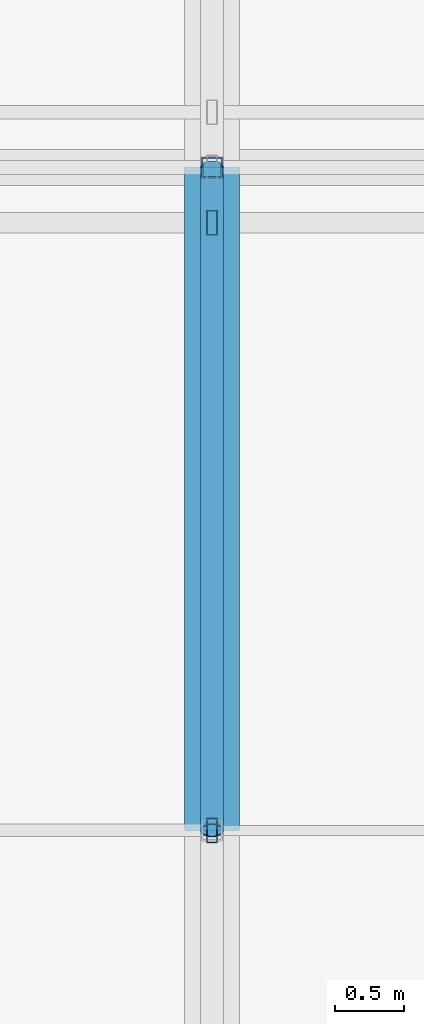
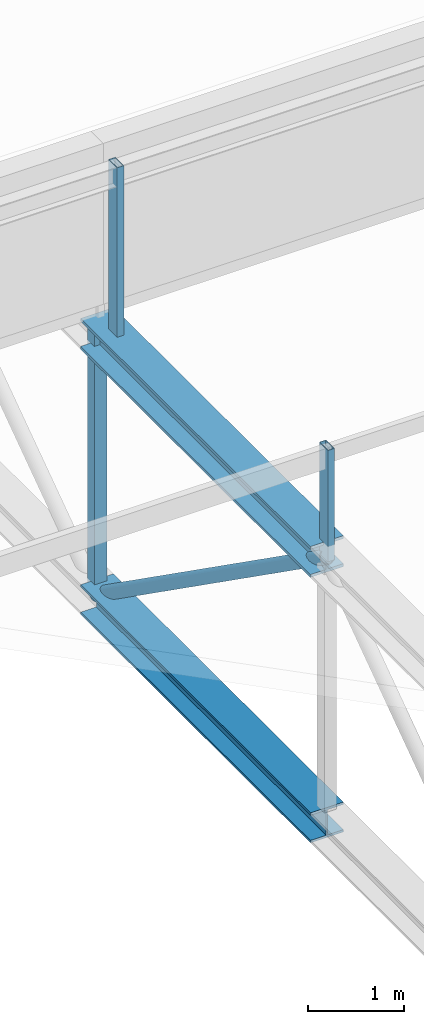
# One storey, part 19 of 136: 4 members, 2 beams.
"""IFC4 building model written with IfcOpenShell, lengths in metres."""

from ifc_helpers import new_model, si_unit, direction, frame, origin, origin_2d, place, context, subcontext, project, spatial, hollow_rectangle, hollow_circle, i_section, extrude, material, material_profile, profile_set, type_object, element, save


model = new_model("IFC4")

# Units and contexts
model_context = context("Model", 3, precision=1e-05, world=origin(), true_north=direction((0.0, 1.0)))
body_context = subcontext(model_context, "Body", "Model", "MODEL_VIEW")
ifc_project = project(units=[si_unit("LENGTHUNIT", "METRE"), si_unit("AREAUNIT", "SQUARE_METRE"), si_unit("VOLUMEUNIT", "CUBIC_METRE"), si_unit("PLANEANGLEUNIT", "RADIAN"), si_unit("MASSUNIT", "GRAM", prefix="KILO")], contexts=[model_context])

# Site, building, storey
site_placement = place(None, origin())
site = spatial("IfcSite", under=ifc_project, at=site_placement, CompositionType="ELEMENT")
building_placement = place(site_placement, origin())
building = spatial("IfcBuilding", under=site, at=building_placement, Name="Kisiwana Market Hall", CompositionType="ELEMENT")
storey_placement = place(building_placement, frame((0.0, 0.0, 16.800048828125)))
storey = spatial("IfcBuildingStorey", under=building, at=storey_placement, Name="L03", CompositionType="ELEMENT", Elevation=16.800048828125)

# Beams
ifc_material_1 = material(Name="Steel S355", Category="steel")
ifc_material_profile_1 = material_profile(ifc_material_1, i_section(OverallWidth=0.394775390625, OverallDepth=0.381103515625, WebThickness=0.018310546875, FlangeThickness=0.0302734375, at=origin_2d()), Name="UC 356x406x235")
ifc_profile_set_1 = profile_set([ifc_material_profile_1], Name="Steel S355")
beam_type_1 = type_object("IfcBeamType", Name="BM-TRUSS-BOT", PredefinedType="USERDEFINED", material=ifc_profile_set_1)
beam_1_placement = place(storey_placement, frame((63.0, 50.39990234375, 0.22998046875), z_axis=(0.0, 1.0, 0.0), x_axis=(-1.0, 0.0, 0.0)))
element("IfcBeam", 1, at=beam_1_placement, inside=storey, type_object=beam_type_1, Name="TR-02 BC panel 4 B-1201", ObjectType="ROOF TRUSS", PredefinedType="USERDEFINED", context=body_context, shape_type="SweptSolid", body=[
    extrude(i_section(OverallWidth=0.394775390625, OverallDepth=0.381103515625, WebThickness=0.018310546875, FlangeThickness=0.0302734375, at=origin_2d()), origin(), (0.0, 0.0, 1.0), 4.800048828125),
])
ifc_material_2 = material(Name="Steel S355", Category="steel")
ifc_material_profile_2 = material_profile(ifc_material_2, i_section(OverallWidth=0.39892578125, OverallDepth=0.3935546875, WebThickness=0.022705078125, FlangeThickness=0.03662109375, at=origin_2d()), Name="UC 356x406x287")
ifc_profile_set_2 = profile_set([ifc_material_profile_2], Name="Steel S355")
beam_type_2 = type_object("IfcBeamType", Name="BM-TRUSS-TOP", PredefinedType="USERDEFINED", material=ifc_profile_set_2)
beam_2_placement = place(storey_placement, frame((63.0, 50.39990234375, 3.619873046875), z_axis=(0.0, 1.0, 0.0), x_axis=(-1.0, 0.0, 0.0)))
element("IfcBeam", 2, at=beam_2_placement, inside=storey, type_object=beam_type_2, Name="TR-02 TC panel 4 B-1211", ObjectType="ROOF TRUSS", PredefinedType="USERDEFINED", context=body_context, shape_type="SweptSolid", body=[
    extrude(i_section(OverallWidth=0.39892578125, OverallDepth=0.3935546875, WebThickness=0.022705078125, FlangeThickness=0.03662109375, at=origin_2d()), origin(), (0.0, 0.0, 1.0), 4.800048828125),
])

# Members
ifc_material_3 = material(Name="Steel S355", Category="steel")
ifc_material_profile_3 = material_profile(ifc_material_3, hollow_rectangle(XDim=0.080078125, YDim=0.179931640625, WallThickness=0.00634765625, at=origin_2d()), Name="RHS 180x80x6.3")
ifc_profile_set_3 = profile_set([ifc_material_profile_3], Name="Steel S355")
member_type_1 = type_object("IfcMemberType", Name="MB-CAN-STRUT", PredefinedType="STRUT", material=ifc_profile_set_3)
member_1_placement = place(storey_placement, frame((63.0, 54.800048828125, 3.619873046875), z_axis=(0.0, 0.0, 1.0), x_axis=(1.0, 0.0, 0.0)))
element("IfcMember", 3, at=member_1_placement, inside=storey, type_object=member_type_1, Name="Sawtooth raker post 202 M-0252", PredefinedType="STRUT", context=body_context, shape_type="SweptSolid", body=[
    extrude(hollow_rectangle(XDim=0.080078125, YDim=0.179931640625, WallThickness=0.00634765625, at=origin_2d()), origin(), (0.0, 0.0, 1.0), 2.355712890625),
])
member_2_placement = place(storey_placement, frame((63.0, 50.39990234375, 3.619873046875), z_axis=(0.0, 0.0, 1.0), x_axis=(1.0, 0.0, 0.0)))
element("IfcMember", 4, at=member_2_placement, inside=storey, type_object=member_type_1, Name="Sawtooth mid-slope raker post 17 M-0062", PredefinedType="STRUT", context=body_context, shape_type="SweptSolid", body=[
    extrude(hollow_rectangle(XDim=0.080078125, YDim=0.179931640625, WallThickness=0.00634765625, at=origin_2d()), origin(), (0.0, 0.0, 1.0), 1.42041015625),
])
ifc_material_4 = material(Name="Steel S355", Category="steel")
ifc_material_profile_4 = material_profile(ifc_material_4, hollow_circle(Radius=0.084228515625, WallThickness=0.010009765625, at=origin_2d()), Name="CHS 168.3x10.0")
ifc_profile_set_4 = profile_set([ifc_material_profile_4], Name="Steel S355")
member_type_2 = type_object("IfcMemberType", Name="MB-TR-DIAG168", PredefinedType="BRACE", material=ifc_profile_set_4)
member_3_placement = place(storey_placement, frame((63.0, 50.39990234375, 3.619873046875), z_axis=(0.0, 0.816837735077, -0.576867501732), x_axis=(-1.0, 0.0, 0.0)))
element("IfcMember", 5, at=member_3_placement, inside=storey, type_object=member_type_2, Name="TR-02 diagonal 4 M-0358", PredefinedType="BRACE", context=body_context, shape_type="SweptSolid", body=[
    extrude(hollow_circle(Radius=0.084228515625, WallThickness=0.010009765625, at=origin_2d()), origin(), (0.0, 0.0, 1.0), 5.87646484375),
])
ifc_material_5 = material(Name="Steel S355", Category="steel")
ifc_material_profile_5 = material_profile(ifc_material_5, hollow_rectangle(XDim=0.14990234375, YDim=0.14990234375, WallThickness=0.008056640625, at=origin_2d()), Name="SHS 150x150x8.0")
ifc_profile_set_5 = profile_set([ifc_material_profile_5], Name="Steel S355")
member_type_3 = type_object("IfcMemberType", Name="MB-TR-STRUT200", PredefinedType="STRUT", material=ifc_profile_set_5)
member_4_placement = place(storey_placement, frame((63.0, 55.199951171875, 0.22998046875), z_axis=(0.0, 0.0, 1.0), x_axis=(1.0, 0.0, 0.0)))
element("IfcMember", 6, at=member_4_placement, inside=storey, type_object=member_type_3, Name="TR-02 vertical strut 5 M-0368", PredefinedType="STRUT", context=body_context, shape_type="SweptSolid", body=[
    extrude(hollow_rectangle(XDim=0.14990234375, YDim=0.14990234375, WallThickness=0.008056640625, at=origin_2d()), origin(), (0.0, 0.0, 1.0), 3.389892578125),
])

save(model, "model.ifc")
